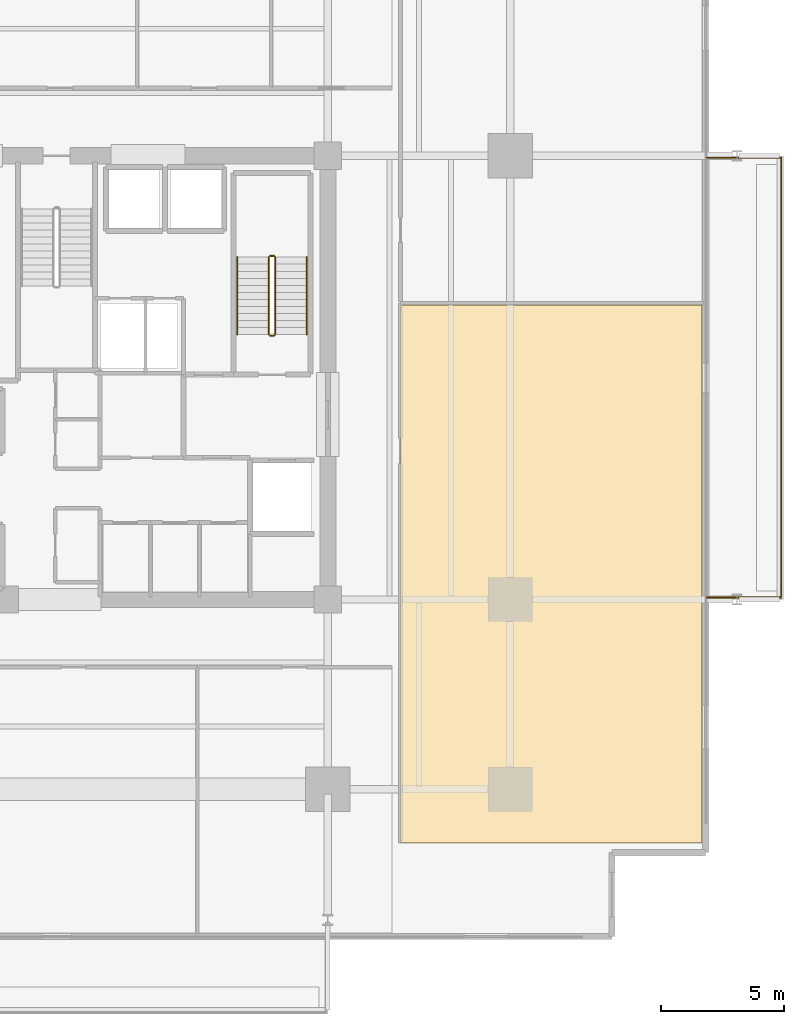
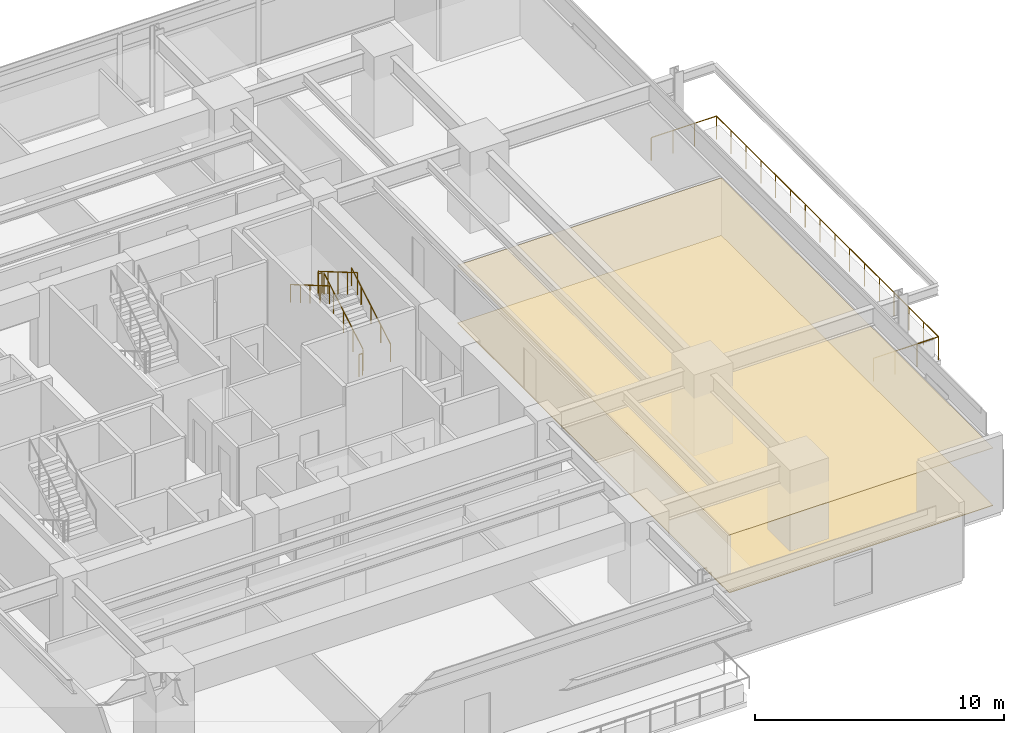
# One storey, part 19 of 21: 7 railings, 2 coverings.
"""IFC4 building model written with IfcOpenShell, lengths in metres."""

from ifc_helpers import new_model, si_unit, direction, frame, origin, origin_2d, place, context, subcontext, project, spatial, polyline, circle, outline, extrude, material, layer, layer_set, type_object, element, save


model = new_model("IFC4")

# Units and contexts
model_context = context("Model", 3, precision=1e-05, world=origin(), true_north=direction((0.0, 1.0)))
body_context = subcontext(model_context, "Body", "Model", "MODEL_VIEW")
ifc_project = project(units=[si_unit("LENGTHUNIT", "METRE"), si_unit("AREAUNIT", "SQUARE_METRE"), si_unit("VOLUMEUNIT", "CUBIC_METRE"), si_unit("PLANEANGLEUNIT", "RADIAN"), si_unit("MASSUNIT", "GRAM", prefix="KILO")], contexts=[model_context])

# Site, building, storey
site_placement = place(None, origin())
site = spatial("IfcSite", under=ifc_project, at=site_placement, CompositionType="ELEMENT")
building_placement = place(site_placement, origin())
building = spatial("IfcBuilding", under=site, at=building_placement, Name="Kovane Verandah Tower", CompositionType="ELEMENT")
storey_placement = place(building_placement, frame((0.0, 0.0, 87.60009765625)))
storey = spatial("IfcBuildingStorey", under=building, at=storey_placement, Name="L20", CompositionType="ELEMENT", Elevation=87.60009765625)

# Coverings
ifc_material_1 = material(Name="Perforated Acoustic Mineral-Fibre Ceiling Tile", Category="gypsum")
ifc_layer_1 = layer(ifc_material_1, 0.02490234375)
ifc_layer_set_1 = layer_set([ifc_layer_1], Name="Perforated Acoustic Mineral-Fibre Ceiling Tile")
covering_type_1 = type_object("IfcCoveringType", Name="CV-CEIL-25", PredefinedType="CEILING", material=ifc_layer_set_1)
covering_1_placement = place(storey_placement, frame((0.0, 0.0, 2.824951171875)))
element("IfcCovering", 1, at=covering_1_placement, inside=storey, type_object=covering_type_1, Name="L20 Document and Print Room E1 Acoustic Ceiling", PredefinedType="CEILING", context=body_context, shape_type="SweptSolid", body=[
    extrude(outline(polyline([(53.949951171875, 8.629150390625), (66.179931640625, 8.629150390625), (66.179931640625, 30.44921875), (53.949951171875, 30.44921875), (53.949951171875, 8.629150390625)])), origin(), (0.0, 0.0, 1.0), 0.02490234375),
])
ifc_material_2 = material(Name="Polished Terrazzo and Raised-Access Carpet Tile Finish", Category="concrete")
ifc_layer_2 = layer(ifc_material_2, 0.030029296875)
ifc_layer_set_2 = layer_set([ifc_layer_2], Name="Polished Terrazzo and Raised-Access Carpet Tile Finish")
covering_type_2 = type_object("IfcCoveringType", Name="CV-FLOR-30", PredefinedType="FLOORING", material=ifc_layer_set_2)
covering_2_placement = place(storey_placement, origin())
element("IfcCovering", 2, at=covering_2_placement, inside=storey, type_object=covering_type_2, Name="L20 Document and Print Room E1 Floor Finish", PredefinedType="FLOORING", context=body_context, shape_type="SweptSolid", body=[
    extrude(outline(polyline([(53.949951171875, 8.629150390625), (66.179931640625, 8.629150390625), (66.179931640625, 30.44921875), (53.949951171875, 30.44921875), (53.949951171875, 8.629150390625)])), origin(), (0.0, 0.0, 1.0), 0.02978515625),
])

# Railings
ifc_material_3 = material(Name="Laminated Glass and Pale-Champagne Stainless Balustrade", Category="glass")
railing_type_1 = type_object("IfcRailingType", Name="RL-BAL-1150", PredefinedType="BALUSTRADE", material=ifc_material_3)
railing_1_placement = place(storey_placement, frame((66.3798828125, 18.580078125, 0.0)))
element("IfcRailing", 3, at=railing_1_placement, inside=storey, type_object=railing_type_1, Name="L20 E Verandah Glass Balustrade", PredefinedType="BALUSTRADE", context=body_context, shape_type="SweptSolid", body=[
    extrude(circle(Radius=0.02392578125, at=origin_2d()), frame((0.0, 0.0, 1.1259765625), z_axis=(1.0, 0.0, 0.0), x_axis=(0.0, 1.0, 0.0)), (0.0, 0.0, 1.0), 3.02001953125),
    extrude(circle(Radius=0.02392578125, at=origin_2d()), frame((3.02001953125, 0.0, 1.1259765625), z_axis=(0.0, 1.0, 0.0), x_axis=(-1.0, 0.0, 0.0)), (0.0, 0.0, 1.0), 17.83984375),
    extrude(circle(Radius=0.02392578125, at=origin_2d()), frame((3.02001953125, 17.83984375, 1.1259765625), z_axis=(-1.0, 0.0, 0.0), x_axis=(0.0, -1.0, 0.0)), (0.0, 0.0, 1.0), 3.02001953125),
    extrude(circle(Radius=0.02099609375, at=origin_2d()), origin(), (0.0, 0.0, 1.0), 1.101806640625),
    extrude(circle(Radius=0.02099609375, at=origin_2d()), frame((1.006591796875, 0.0, 0.0)), (0.0, 0.0, 1.0), 1.101806640625),
    extrude(circle(Radius=0.02099609375, at=origin_2d()), frame((2.013427734375, 0.0, 0.0)), (0.0, 0.0, 1.0), 1.101806640625),
    extrude(circle(Radius=0.02099609375, at=origin_2d()), frame((3.02001953125, 0.0, 0.0)), (0.0, 0.0, 1.0), 1.101806640625),
    extrude(circle(Radius=0.02099609375, at=origin_2d()), frame((3.02001953125, 1.189208984375, 0.0)), (0.0, 0.0, 1.0), 1.101806640625),
    extrude(circle(Radius=0.02099609375, at=origin_2d()), frame((3.02001953125, 2.378662109375, 0.0)), (0.0, 0.0, 1.0), 1.101806640625),
    extrude(circle(Radius=0.02099609375, at=origin_2d()), frame((3.02001953125, 3.56787109375, 0.0)), (0.0, 0.0, 1.0), 1.101806640625),
    extrude(circle(Radius=0.02099609375, at=origin_2d()), frame((3.02001953125, 4.75732421875, 0.0)), (0.0, 0.0, 1.0), 1.101806640625),
    extrude(circle(Radius=0.02099609375, at=origin_2d()), frame((3.02001953125, 5.946533203125, 0.0)), (0.0, 0.0, 1.0), 1.101806640625),
    extrude(circle(Radius=0.02099609375, at=origin_2d()), frame((3.02001953125, 7.135986328125, 0.0)), (0.0, 0.0, 1.0), 1.101806640625),
    extrude(circle(Radius=0.02099609375, at=origin_2d()), frame((3.02001953125, 8.3251953125, 0.0)), (0.0, 0.0, 1.0), 1.101806640625),
    extrude(circle(Radius=0.02099609375, at=origin_2d()), frame((3.02001953125, 9.5146484375, 0.0)), (0.0, 0.0, 1.0), 1.101806640625),
    extrude(circle(Radius=0.02099609375, at=origin_2d()), frame((3.02001953125, 10.703857421875, 0.0)), (0.0, 0.0, 1.0), 1.101806640625),
    extrude(circle(Radius=0.02099609375, at=origin_2d()), frame((3.02001953125, 11.893310546875, 0.0)), (0.0, 0.0, 1.0), 1.101806640625),
    extrude(circle(Radius=0.02099609375, at=origin_2d()), frame((3.02001953125, 13.08251953125, 0.0)), (0.0, 0.0, 1.0), 1.101806640625),
    extrude(circle(Radius=0.02099609375, at=origin_2d()), frame((3.02001953125, 14.27197265625, 0.0)), (0.0, 0.0, 1.0), 1.101806640625),
    extrude(circle(Radius=0.02099609375, at=origin_2d()), frame((3.02001953125, 15.461181640625, 0.0)), (0.0, 0.0, 1.0), 1.101806640625),
    extrude(circle(Radius=0.02099609375, at=origin_2d()), frame((3.02001953125, 16.650634765625, 0.0)), (0.0, 0.0, 1.0), 1.101806640625),
    extrude(circle(Radius=0.02099609375, at=origin_2d()), frame((3.02001953125, 17.83984375, 0.0)), (0.0, 0.0, 1.0), 1.101806640625),
    extrude(circle(Radius=0.02099609375, at=origin_2d()), frame((2.013427734375, 17.83984375, 0.0)), (0.0, 0.0, 1.0), 1.101806640625),
    extrude(circle(Radius=0.02099609375, at=origin_2d()), frame((1.006591796875, 17.83984375, 0.0)), (0.0, 0.0, 1.0), 1.101806640625),
    extrude(circle(Radius=0.02099609375, at=origin_2d()), frame((0.0, 17.83984375, 0.0)), (0.0, 0.0, 1.0), 1.101806640625),
])
ifc_material_4 = material(Name="Brushed Stainless Steel Handrail", Category="steel")
railing_type_2 = type_object("IfcRailingType", Name="RL-HAND-920", PredefinedType="HANDRAIL", material=ifc_material_4)
railing_2_placement = place(storey_placement, frame((50.14990234375, 29.25, 0.16650390625)))
element("IfcRailing", 4, at=railing_2_placement, inside=storey, type_object=railing_type_2, Name="L20 ST-02 stair handrail 1", PredefinedType="HANDRAIL", context=body_context, shape_type="SweptSolid", body=[
    extrude(circle(Radius=0.02392578125, at=origin_2d()), frame((0.0, 0.0, 0.8759765625), z_axis=(0.0, 0.863210265497, 0.504844567704), x_axis=(-1.0, 0.0, 0.0)), (0.0, 0.0, 1.0), 3.6318359375),
    extrude(circle(Radius=0.02099609375, at=origin_2d()), origin(), (0.0, 0.0, 1.0), 0.851806640625),
    extrude(circle(Radius=0.02099609375, at=origin_2d()), frame((0.0, 0.78369140625, 0.45849609375)), (0.0, 0.0, 1.0), 0.851806640625),
    extrude(circle(Radius=0.02099609375, at=origin_2d()), frame((0.0, 1.5673828125, 0.916748046875)), (0.0, 0.0, 1.0), 0.851806640625),
    extrude(circle(Radius=0.02099609375, at=origin_2d()), frame((0.0, 2.351318359375, 1.375)), (0.0, 0.0, 1.0), 0.851806640625),
    extrude(circle(Radius=0.02099609375, at=origin_2d()), frame((0.0, 3.135009765625, 1.83349609375)), (0.0, 0.0, 1.0), 0.851806640625),
])
railing_3_placement = place(storey_placement, frame((47.330078125, 32.385009765625, 2.16650390625)))
element("IfcRailing", 5, at=railing_3_placement, inside=storey, type_object=railing_type_2, Name="L20 ST-02 stair handrail 2", PredefinedType="HANDRAIL", context=body_context, shape_type="SweptSolid", body=[
    extrude(circle(Radius=0.02392578125, at=origin_2d()), frame((0.0, 0.0, 0.8759765625), z_axis=(0.0, -0.863210265497, 0.504844567704), x_axis=(1.0, 0.0, 0.0)), (0.0, 0.0, 1.0), 3.6318359375),
    extrude(circle(Radius=0.02099609375, at=origin_2d()), origin(), (0.0, 0.0, 1.0), 0.851806640625),
    extrude(circle(Radius=0.02099609375, at=origin_2d()), frame((0.0, -0.78369140625, 0.45849609375)), (0.0, 0.0, 1.0), 0.851806640625),
    extrude(circle(Radius=0.02099609375, at=origin_2d()), frame((0.0, -1.5673828125, 0.916748046875)), (0.0, 0.0, 1.0), 0.851806640625),
    extrude(circle(Radius=0.02099609375, at=origin_2d()), frame((0.0, -2.351318359375, 1.375)), (0.0, 0.0, 1.0), 0.851806640625),
    extrude(circle(Radius=0.02099609375, at=origin_2d()), frame((0.0, -3.135009765625, 1.83349609375)), (0.0, 0.0, 1.0), 0.851806640625),
])
ifc_material_5 = material(Name="Painted Steel Stairwell Guardrail", Category="steel")
railing_type_3 = type_object("IfcRailingType", Name="RL-STGUARD-1120", PredefinedType="GUARDRAIL", material=ifc_material_5)
railing_4_placement = place(storey_placement, frame((48.8701171875, 29.25, 0.16650390625)))
element("IfcRailing", 6, at=railing_4_placement, inside=storey, type_object=railing_type_3, Name="L20 ST-02 stair guard 1", PredefinedType="GUARDRAIL", context=body_context, shape_type="SweptSolid", body=[
    extrude(circle(Radius=0.02392578125, at=origin_2d()), frame((0.0, 0.0, 1.076171875), z_axis=(0.0, 0.863210265497, 0.504844567704), x_axis=(-1.0, 0.0, 0.0)), (0.0, 0.0, 1.0), 3.6318359375),
    extrude(circle(Radius=0.02099609375, at=origin_2d()), origin(), (0.0, 0.0, 1.0), 1.052001953125),
    extrude(circle(Radius=0.02099609375, at=origin_2d()), frame((0.0, 0.78369140625, 0.45849609375)), (0.0, 0.0, 1.0), 1.052001953125),
    extrude(circle(Radius=0.02099609375, at=origin_2d()), frame((0.0, 1.5673828125, 0.916748046875)), (0.0, 0.0, 1.0), 1.052001953125),
    extrude(circle(Radius=0.02099609375, at=origin_2d()), frame((0.0, 2.351318359375, 1.375)), (0.0, 0.0, 1.0), 1.052001953125),
    extrude(circle(Radius=0.02099609375, at=origin_2d()), frame((0.0, 3.135009765625, 1.83349609375)), (0.0, 0.0, 1.0), 1.052001953125),
])
railing_5_placement = place(storey_placement, frame((48.820068359375, 32.43505859375, 2.0)))
element("IfcRailing", 7, at=railing_5_placement, inside=storey, type_object=railing_type_3, Name="L20 ST-02 stair guard 2", PredefinedType="GUARDRAIL", context=body_context, shape_type="SweptSolid", body=[
    extrude(circle(Radius=0.02392578125, at=origin_2d()), frame((0.0, 0.0, 1.076171875), z_axis=(-1.0, 0.0, 0.0), x_axis=(0.0, -1.0, 0.0)), (0.0, 0.0, 1.0), 0.16015625),
    extrude(circle(Radius=0.02099609375, at=origin_2d()), origin(), (0.0, 0.0, 1.0), 1.052001953125),
    extrude(circle(Radius=0.02099609375, at=origin_2d()), frame((-0.16015625, 0.0, 0.0)), (0.0, 0.0, 1.0), 1.052001953125),
])
railing_6_placement = place(storey_placement, frame((48.610107421875, 32.385009765625, 2.16650390625)))
element("IfcRailing", 8, at=railing_6_placement, inside=storey, type_object=railing_type_3, Name="L20 ST-02 stair guard 3", PredefinedType="GUARDRAIL", context=body_context, shape_type="SweptSolid", body=[
    extrude(circle(Radius=0.02392578125, at=origin_2d()), frame((0.0, 0.0, 1.076171875), z_axis=(0.0, -0.863210265497, 0.504844567704), x_axis=(1.0, 0.0, 0.0)), (0.0, 0.0, 1.0), 3.6318359375),
    extrude(circle(Radius=0.02099609375, at=origin_2d()), origin(), (0.0, 0.0, 1.0), 1.052001953125),
    extrude(circle(Radius=0.02099609375, at=origin_2d()), frame((0.0, -0.78369140625, 0.45849609375)), (0.0, 0.0, 1.0), 1.052001953125),
    extrude(circle(Radius=0.02099609375, at=origin_2d()), frame((0.0, -1.5673828125, 0.916748046875)), (0.0, 0.0, 1.0), 1.052001953125),
    extrude(circle(Radius=0.02099609375, at=origin_2d()), frame((0.0, -2.351318359375, 1.375)), (0.0, 0.0, 1.0), 1.052001953125),
    extrude(circle(Radius=0.02099609375, at=origin_2d()), frame((0.0, -3.135009765625, 1.83349609375)), (0.0, 0.0, 1.0), 1.052001953125),
])
railing_7_placement = place(storey_placement, frame((48.820068359375, 29.199951171875, 0.0)))
element("IfcRailing", 9, at=railing_7_placement, inside=storey, type_object=railing_type_3, Name="L20 ST-02 stair guard 4", PredefinedType="GUARDRAIL", context=body_context, shape_type="SweptSolid", body=[
    extrude(circle(Radius=0.02392578125, at=origin_2d()), frame((0.0, 0.0, 1.076171875), z_axis=(-1.0, 0.0, 0.0), x_axis=(0.0, -1.0, 0.0)), (0.0, 0.0, 1.0), 0.16015625),
    extrude(circle(Radius=0.02099609375, at=origin_2d()), origin(), (0.0, 0.0, 1.0), 1.052001953125),
    extrude(circle(Radius=0.02099609375, at=origin_2d()), frame((-0.16015625, 0.0, 0.0)), (0.0, 0.0, 1.0), 1.052001953125),
])

save(model, "model.ifc")
